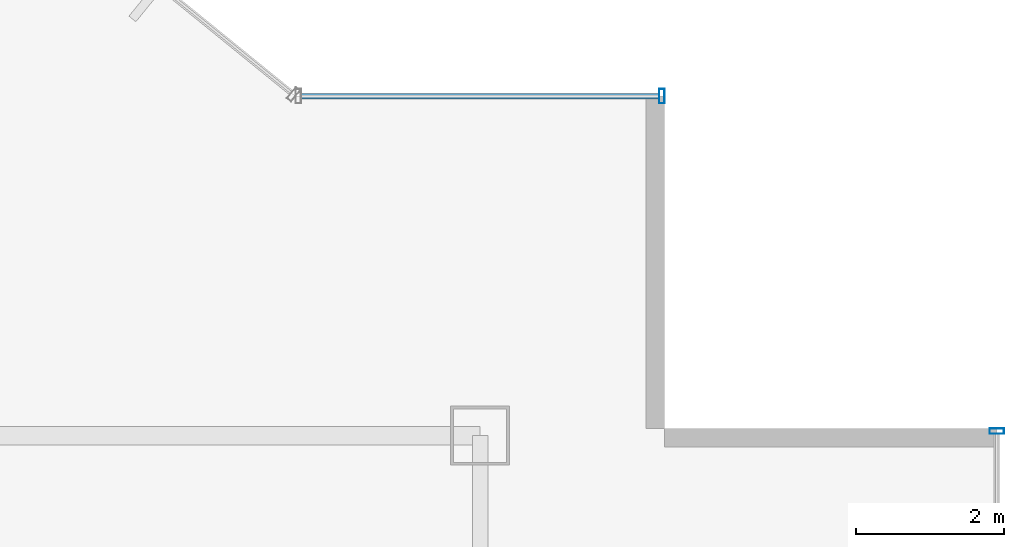
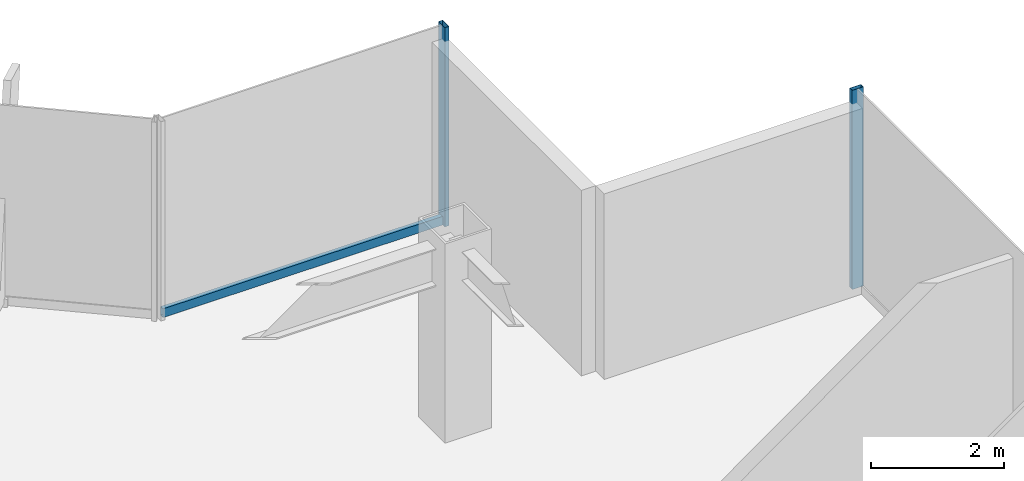
# One storey, part 19 of 26: 3 members, 2 elements without a shape of their own.
"""IFC4 building model written with IfcOpenShell, lengths in metres."""

from ifc_helpers import new_model, si_unit, derived_unit, direction, frame, origin, origin_2d, place, context, subcontext, project, spatial, hollow_rectangle, extrude, source, transform, mapped, material, material_profile, profile_set, type_object, element, aggregate, save


model = new_model("IFC4")

# Units and contexts
model_context = context("Model", 3, precision=1e-05, world=origin(), true_north=direction((0.0, 1.0)))
body_context = subcontext(model_context, "Body", "Model", "MODEL_VIEW")
ifc_project = project(units=[si_unit("LENGTHUNIT", "METRE"), si_unit("AREAUNIT", "SQUARE_METRE"), si_unit("VOLUMEUNIT", "CUBIC_METRE"), si_unit("PLANEANGLEUNIT", "RADIAN"), si_unit("MASSUNIT", "GRAM", prefix="KILO"), derived_unit("THERMALTRANSMITTANCEUNIT", [(si_unit("POWERUNIT", "WATT"), 1), (si_unit("LENGTHUNIT", "METRE"), -2), (si_unit("THERMODYNAMICTEMPERATUREUNIT", "KELVIN"), -1)])], contexts=[model_context])

# Site, building, storey
site_placement = place(None, origin())
site = spatial("IfcSite", under=ifc_project, at=site_placement, CompositionType="ELEMENT")
building_placement = place(site_placement, origin())
building = spatial("IfcBuilding", under=site, at=building_placement, Name="Skarnbrae Concourse Arena and Tower", CompositionType="ELEMENT")
storey_placement = place(building_placement, frame((0.0, 0.0, 121.5)))
storey = spatial("IfcBuildingStorey", under=building, at=storey_placement, Name="L30", CompositionType="ELEMENT", Elevation=121.5)

# Curtain wall, member
ifc_material = material(Name="Bronze anodised aluminium 6063-T6", Category="aluminium")
curtain_wall_type = type_object("IfcCurtainWallType", Name="CW-SYS-04-MIDZONE", PredefinedType="USERDEFINED", material=ifc_material)
curtain_wall_1_placement = place(storey_placement, origin())
curtain_wall_1 = element("IfcCurtainWall", 1, at=curtain_wall_1_placement, inside=storey, type_object=curtain_wall_type, Name="L30 Unitised curtain wall CW-L30-E07", ObjectType="UNITISED CURTAIN WALL", PredefinedType="USERDEFINED")
ifc_material_profile_1 = material_profile(ifc_material, hollow_rectangle(XDim=0.074951171875, YDim=0.159912109375, WallThickness=0.00439453125, at=origin_2d()), Name="ALU-TRAN-75X160")
ifc_profile_set_1 = profile_set([ifc_material_profile_1], Name="Bronze anodised aluminium 6063-T6")
member_type_1 = type_object("IfcMemberType", Name="CWT-CW-04", PredefinedType="USERDEFINED", material=ifc_profile_set_1)
shared_shape_1 = source(origin(), body_context, "Body", "SweptSolid", [
    extrude(hollow_rectangle(XDim=0.074951171875, YDim=0.159912109375, WallThickness=0.00439453125, at=origin_2d()), origin(), (0.0, 0.0, 1.0), 4.85009765625),
])
member_1_placement = place(storey_placement, frame((51.425048828125, 39.0, 0.080078125), z_axis=(-1.0, 0.0, 0.0), x_axis=(0.0, -1.0, 0.0)))
member_1 = element("IfcMember", 2, at=member_1_placement, type_object=member_type_1, Name="CW-L30-E07 Transom 1", ObjectType="TRANSOM", PredefinedType="USERDEFINED", context=body_context, shape_type="MappedRepresentation", body=[
    mapped(shared_shape_1, transform((0.0, 0.0, 0.0))),
])

curtain_wall_2_placement = place(storey_placement, origin())
curtain_wall_2 = element("IfcCurtainWall", 3, at=curtain_wall_2_placement, inside=storey, type_object=curtain_wall_type, Name="L30 Unitised curtain wall CW-L30-E04", ObjectType="UNITISED CURTAIN WALL", PredefinedType="USERDEFINED")
ifc_material_profile_2 = material_profile(ifc_material, hollow_rectangle(XDim=0.074951171875, YDim=0.195068359375, WallThickness=0.00439453125, at=origin_2d()), Name="ALU-MULL-75X195")
ifc_profile_set_2 = profile_set([ifc_material_profile_2], Name="Bronze anodised aluminium 6063-T6")
member_type_2 = type_object("IfcMemberType", Name="CWM-CW-04", PredefinedType="MULLION", material=ifc_profile_set_2)
shared_shape_2 = source(origin(), body_context, "Body", "SweptSolid", [
    extrude(hollow_rectangle(XDim=0.074951171875, YDim=0.195068359375, WallThickness=0.00439453125, at=origin_2d()), origin(), (0.0, 0.0, 1.0), 3.64990234375),
])
member_2_placement = place(storey_placement, frame((56.0, 34.46240234375, 0.0), z_axis=(0.0, 0.0, 1.0), x_axis=(0.0, 1.0, 0.0)))
member_2 = element("IfcMember", 4, at=member_2_placement, type_object=member_type_2, Name="CW-L30-E04 Mullion 5", PredefinedType="MULLION", context=body_context, shape_type="MappedRepresentation", body=[
    mapped(shared_shape_2, transform((0.0, 0.0, 0.0))),
])
aggregate(curtain_wall_2, [member_2])

# Member
member_3_placement = place(storey_placement, frame((51.46240234375, 39.0, 0.0), z_axis=(0.0, 0.0, 1.0), x_axis=(-1.0, 0.0, 0.0)))
member_3 = element("IfcMember", 5, at=member_3_placement, type_object=member_type_2, Name="CW-L30-E07 Mullion 1", PredefinedType="MULLION", context=body_context, shape_type="MappedRepresentation", body=[
    mapped(shared_shape_2, transform((0.0, 0.0, 0.0))),
])

aggregate(curtain_wall_1, [member_3, member_1])

save(model, "model.ifc")
